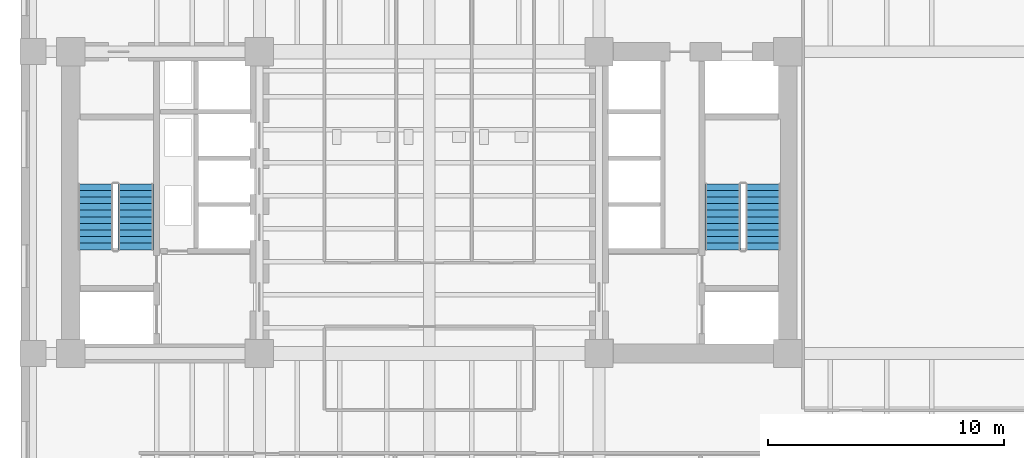
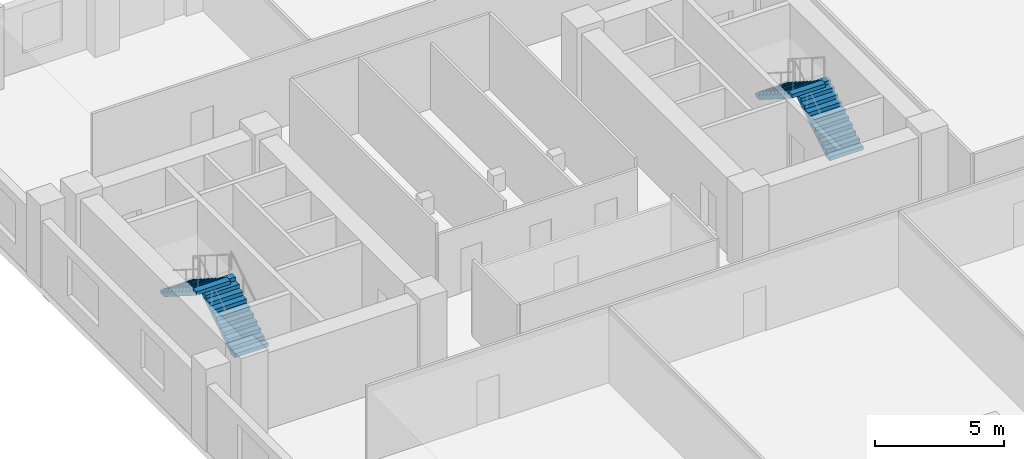
# One storey, part 5 of 9: 4 stair flights, 2 elements without a shape of their own.
"""IFC4 building model written with IfcOpenShell, lengths in metres."""

from ifc_helpers import new_model, si_unit, direction, frame, origin, place, context, subcontext, project, spatial, polyline, outline, extrude, material, type_object, element, aggregate, save


model = new_model("IFC4")

# Units and contexts
model_context = context("Model", 3, precision=1e-05, world=origin(), true_north=direction((0.0, 1.0)))
body_context = subcontext(model_context, "Body", "Model", "MODEL_VIEW")
ifc_project = project(units=[si_unit("LENGTHUNIT", "METRE"), si_unit("AREAUNIT", "SQUARE_METRE"), si_unit("VOLUMEUNIT", "CUBIC_METRE"), si_unit("PLANEANGLEUNIT", "RADIAN"), si_unit("MASSUNIT", "GRAM", prefix="KILO")], contexts=[model_context])

# Site, building, storey
site_placement = place(None, origin())
site = spatial("IfcSite", under=ifc_project, at=site_placement, CompositionType="ELEMENT")
building_placement = place(site_placement, origin())
building = spatial("IfcBuilding", under=site, at=building_placement, Name="Kranthara Brick Stack", CompositionType="ELEMENT")
storey_placement = place(building_placement, frame((0.0, 0.0, 55.5)))
storey = spatial("IfcBuildingStorey", under=building, at=storey_placement, Name="L13", CompositionType="ELEMENT", Elevation=55.5)

# Stair, stair flights
ifc_material_1 = material(Name="Concrete C45/55", Category="concrete")
stair_type = type_object("IfcStairType", Name="ST-CORE-22R", PredefinedType="HALF_TURN_STAIR", material=ifc_material_1)
stair_1_placement = place(storey_placement, origin())
stair_1 = element("IfcStair", 1, at=stair_1_placement, inside=storey, type_object=stair_type, Name="L13 West Core Protected Exit Stair ST01", PredefinedType="HALF_TURN_STAIR")
ifc_material_2 = material(Name="Concrete C45/55", Category="concrete")
stair_flight_type = type_object("IfcStairFlightType", Name="SFL-RC-22R", PredefinedType="STRAIGHT", material=ifc_material_2)
stair_flight_1_placement = place(storey_placement, frame((15.550048828125, 25.199951171875, 0.0), z_axis=(0.0, 0.0, 1.0), x_axis=(0.0, 1.0, 0.0)))
stair_flight_1 = element("IfcStairFlight", 2, at=stair_flight_1_placement, type_object=stair_flight_type, Name="ST01 flight 1", NumberOfRisers=11, NumberOfTreads=10, PredefinedType="STRAIGHT", RiserHeight=0.177272727, TreadLength=0.28, context=body_context, shape_type="SweptSolid", body=[
    extrude(outline(polyline([(0.0, 0.0), (0.0, 0.17724609375), (0.280029296875, 0.17724609375), (0.280029296875, 0.3544921875), (0.56005859375, 0.3544921875), (0.56005859375, 0.53173828125), (0.840087890625, 0.53173828125), (0.840087890625, 0.708984375), (1.1201171875, 0.708984375), (1.1201171875, 0.886474609375), (1.39990234375, 0.886474609375), (1.39990234375, 1.063720703125), (1.679931640625, 1.063720703125), (1.679931640625, 1.240966796875), (1.9599609375, 1.240966796875), (1.9599609375, 1.418212890625), (2.239990234375, 1.418212890625), (2.239990234375, 1.595458984375), (2.52001953125, 1.595458984375), (2.52001953125, 1.772705078125), (2.800048828125, 1.772705078125), (2.800048828125, 1.949951171875), (2.800048828125, 1.59521484375), (0.2802734375, 0.0), (0.0, 0.0)])), frame((0.0, 0.75, 0.0), z_axis=(0.0, -1.0, 0.0), x_axis=(1.0, 0.0, 0.0)), (0.0, 0.0, 1.0), 1.5),
])
stair_flight_2_placement = place(storey_placement, frame((13.85009765625, 28.0, 1.949951171875), z_axis=(0.0, 0.0, 1.0), x_axis=(0.0, -1.0, 0.0)))
stair_flight_2 = element("IfcStairFlight", 3, at=stair_flight_2_placement, type_object=stair_flight_type, Name="ST01 flight 2", NumberOfRisers=11, NumberOfTreads=10, PredefinedType="STRAIGHT", RiserHeight=0.177272727, TreadLength=0.28, context=body_context, shape_type="SweptSolid", body=[
    extrude(outline(polyline([(0.0, 0.0), (0.0, 0.17724609375), (0.280029296875, 0.17724609375), (0.280029296875, 0.3544921875), (0.56005859375, 0.3544921875), (0.56005859375, 0.53173828125), (0.840087890625, 0.53173828125), (0.840087890625, 0.708984375), (1.1201171875, 0.708984375), (1.1201171875, 0.886474609375), (1.39990234375, 0.886474609375), (1.39990234375, 1.063720703125), (1.679931640625, 1.063720703125), (1.679931640625, 1.240966796875), (1.9599609375, 1.240966796875), (1.9599609375, 1.418212890625), (2.239990234375, 1.418212890625), (2.239990234375, 1.595458984375), (2.52001953125, 1.595458984375), (2.52001953125, 1.772705078125), (2.800048828125, 1.772705078125), (2.800048828125, 1.949951171875), (2.800048828125, 1.59521484375), (0.2802734375, 0.0), (0.0, 0.0)])), frame((0.0, 0.75, 0.0), z_axis=(0.0, -1.0, 0.0), x_axis=(1.0, 0.0, 0.0)), (0.0, 0.0, 1.0), 1.5),
])
aggregate(stair_1, [stair_flight_1, stair_flight_2])

stair_2_placement = place(storey_placement, origin())
stair_2 = element("IfcStair", 4, at=stair_2_placement, inside=storey, type_object=stair_type, Name="L13 East Core Protected Exit Stair ST02", PredefinedType="HALF_TURN_STAIR")
stair_flight_3_placement = place(storey_placement, frame((42.14990234375, 25.199951171875, 0.0), z_axis=(0.0, 0.0, 1.0), x_axis=(0.0, 1.0, 0.0)))
stair_flight_3 = element("IfcStairFlight", 5, at=stair_flight_3_placement, type_object=stair_flight_type, Name="ST02 flight 1", NumberOfRisers=11, NumberOfTreads=10, PredefinedType="STRAIGHT", RiserHeight=0.177272727, TreadLength=0.28, context=body_context, shape_type="SweptSolid", body=[
    extrude(outline(polyline([(0.0, 0.0), (0.0, 0.17724609375), (0.280029296875, 0.17724609375), (0.280029296875, 0.3544921875), (0.56005859375, 0.3544921875), (0.56005859375, 0.53173828125), (0.840087890625, 0.53173828125), (0.840087890625, 0.708984375), (1.1201171875, 0.708984375), (1.1201171875, 0.886474609375), (1.39990234375, 0.886474609375), (1.39990234375, 1.063720703125), (1.679931640625, 1.063720703125), (1.679931640625, 1.240966796875), (1.9599609375, 1.240966796875), (1.9599609375, 1.418212890625), (2.239990234375, 1.418212890625), (2.239990234375, 1.595458984375), (2.52001953125, 1.595458984375), (2.52001953125, 1.772705078125), (2.800048828125, 1.772705078125), (2.800048828125, 1.949951171875), (2.800048828125, 1.59521484375), (0.2802734375, 0.0), (0.0, 0.0)])), frame((0.0, 0.75, 0.0), z_axis=(0.0, -1.0, 0.0), x_axis=(1.0, 0.0, 0.0)), (0.0, 0.0, 1.0), 1.5),
])
stair_flight_4_placement = place(storey_placement, frame((40.449951171875, 28.0, 1.949951171875), z_axis=(0.0, 0.0, 1.0), x_axis=(0.0, -1.0, 0.0)))
stair_flight_4 = element("IfcStairFlight", 6, at=stair_flight_4_placement, type_object=stair_flight_type, Name="ST02 flight 2", NumberOfRisers=11, NumberOfTreads=10, PredefinedType="STRAIGHT", RiserHeight=0.177272727, TreadLength=0.28, context=body_context, shape_type="SweptSolid", body=[
    extrude(outline(polyline([(0.0, 0.0), (0.0, 0.17724609375), (0.280029296875, 0.17724609375), (0.280029296875, 0.3544921875), (0.56005859375, 0.3544921875), (0.56005859375, 0.53173828125), (0.840087890625, 0.53173828125), (0.840087890625, 0.708984375), (1.1201171875, 0.708984375), (1.1201171875, 0.886474609375), (1.39990234375, 0.886474609375), (1.39990234375, 1.063720703125), (1.679931640625, 1.063720703125), (1.679931640625, 1.240966796875), (1.9599609375, 1.240966796875), (1.9599609375, 1.418212890625), (2.239990234375, 1.418212890625), (2.239990234375, 1.595458984375), (2.52001953125, 1.595458984375), (2.52001953125, 1.772705078125), (2.800048828125, 1.772705078125), (2.800048828125, 1.949951171875), (2.800048828125, 1.59521484375), (0.2802734375, 0.0), (0.0, 0.0)])), frame((0.0, 0.75, 0.0), z_axis=(0.0, -1.0, 0.0), x_axis=(1.0, 0.0, 0.0)), (0.0, 0.0, 1.0), 1.5),
])
aggregate(stair_2, [stair_flight_3, stair_flight_4])

save(model, "model.ifc")
